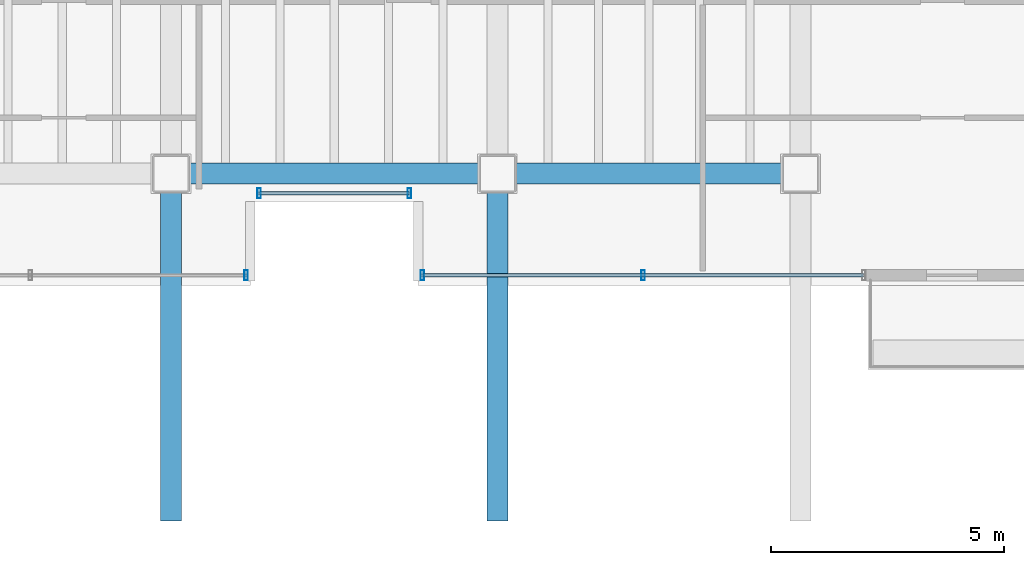
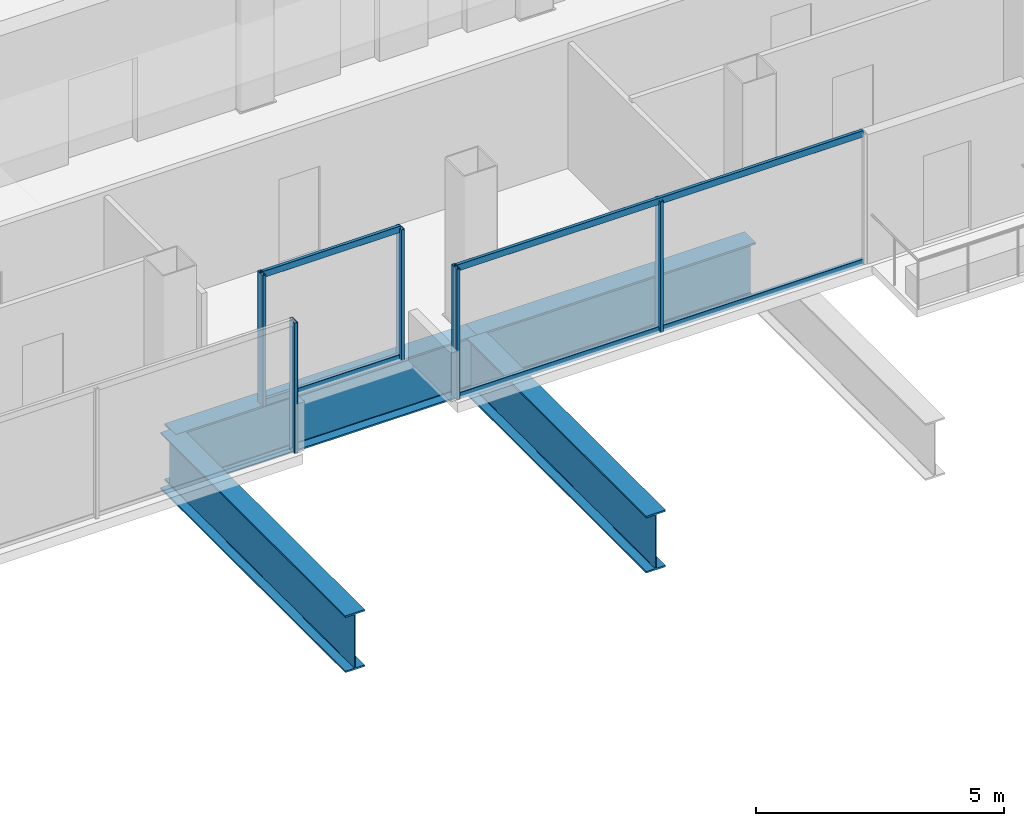
# One storey, part 6 of 19: 9 members, 4 beams, 3 elements without a shape of their own.
"""IFC4 building model written with IfcOpenShell, lengths in metres."""

from ifc_helpers import new_model, si_unit, direction, frame, origin, origin_2d, place, context, subcontext, project, spatial, hollow_rectangle, i_section, extrude, material, material_profile, profile_set, type_object, element, aggregate, save


model = new_model("IFC4")

# Units and contexts
model_context = context("Model", 3, precision=1e-05, world=origin(), true_north=direction((0.0, 1.0)))
body_context = subcontext(model_context, "Body", "Model", "MODEL_VIEW")
ifc_project = project(units=[si_unit("LENGTHUNIT", "METRE"), si_unit("AREAUNIT", "SQUARE_METRE"), si_unit("VOLUMEUNIT", "CUBIC_METRE"), si_unit("PLANEANGLEUNIT", "RADIAN"), si_unit("MASSUNIT", "GRAM", prefix="KILO")], contexts=[model_context])

# Site, building, storey
site_placement = place(None, origin())
site = spatial("IfcSite", under=ifc_project, at=site_placement, CompositionType="ELEMENT")
building_placement = place(site_placement, origin())
building = spatial("IfcBuilding", under=site, at=building_placement, Name="Noeulbin Bourse Tower", CompositionType="ELEMENT")
storey_placement = place(building_placement, frame((0.0, 0.0, 257.89990234375)))
storey = spatial("IfcBuildingStorey", under=building, at=storey_placement, Name="L64", CompositionType="ELEMENT", Elevation=257.89990234375)

# Beams
ifc_material_1 = material(Name="Steel S460", Category="steel")
ifc_material_profile_1 = material_profile(ifc_material_1, i_section(OverallWidth=0.449951171875, OverallDepth=1.39990234375, WebThickness=0.02392578125, FlangeThickness=0.0400390625, FilletRadius=0.02392578125, at=origin_2d()), Name="PG-1400x450x24x40", Category="LoadBearing")
ifc_profile_set_1 = profile_set([ifc_material_profile_1], Name="Steel S460")
beam_type = type_object("IfcBeamType", Name="BM-TRF-1400", PredefinedType="USERDEFINED", material=ifc_profile_set_1)
beam_1_placement = place(storey_placement, frame((24.0, 20.0, -0.93994140625), z_axis=(1.0, 0.0, 0.0), x_axis=(0.0, 1.0, 0.0)))
element("IfcBeam", 1, at=beam_1_placement, inside=storey, type_object=beam_type, Name="Tower Primary Girder EW L64-1.2", ObjectType="GIRDER", PredefinedType="USERDEFINED", context=body_context, shape_type="SweptSolid", body=[
    extrude(i_section(OverallWidth=0.449951171875, OverallDepth=1.39990234375, WebThickness=0.02392578125, FlangeThickness=0.0400390625, FilletRadius=0.02392578125, at=origin_2d()), origin(), (0.0, 0.0, 1.0), 7.0),
])
beam_2_placement = place(storey_placement, frame((31.0, 20.0, -0.93994140625), z_axis=(1.0, 0.0, 0.0), x_axis=(0.0, 1.0, 0.0)))
element("IfcBeam", 2, at=beam_2_placement, inside=storey, type_object=beam_type, Name="Tower Primary Girder EW L64-1.3", ObjectType="GIRDER", PredefinedType="USERDEFINED", context=body_context, shape_type="SweptSolid", body=[
    extrude(i_section(OverallWidth=0.449951171875, OverallDepth=1.39990234375, WebThickness=0.02392578125, FlangeThickness=0.0400390625, FilletRadius=0.02392578125, at=origin_2d()), origin(), (0.0, 0.0, 1.0), 6.5),
])
for number, where, z_axis, x_axis, name in (
    (3, (24.0, 12.550048828125, -0.93994140625), (0.0, 1.0, 0.0), (-1.0, 0.0, 0.0), "Tower Primary Girder NS L64-2.1"),
    (4, (31.0, 12.550048828125, -0.93994140625), (0.0, 1.0, 0.0), (-1.0, 0.0, 0.0), "Tower Primary Girder NS L64-3.1"),
):
    element("IfcBeam", number, at=place(storey_placement, frame(where, z_axis=z_axis, x_axis=x_axis)), inside=storey, type_object=beam_type, Name=name, ObjectType="GIRDER", PredefinedType="USERDEFINED", context=body_context, shape_type="SweptSolid", body=[
        extrude(i_section(OverallWidth=0.449951171875, OverallDepth=1.39990234375, WebThickness=0.02392578125, FlangeThickness=0.0400390625, FilletRadius=0.02392578125, at=origin_2d()), origin(), (0.0, 0.0, 1.0), 7.449951171875),
    ])

# Curtain wall, members
ifc_material_2 = material(Name="High-Selectivity Low-Iron Glazing", Category="glass")
curtain_wall_type = type_object("IfcCurtainWallType", Name="CW-SYS-4", PredefinedType="NOTDEFINED", material=ifc_material_2)
curtain_wall_1_placement = place(storey_placement, origin())
curtain_wall_1 = element("IfcCurtainWall", 5, at=curtain_wall_1_placement, inside=storey, type_object=curtain_wall_type, Name="Unitised Curtain Wall CW-L64-SREC", PredefinedType="NOTDEFINED")
ifc_material_3 = material(Name="Anodised Aluminium 6063-T6", Category="aluminium")
ifc_material_profile_2 = material_profile(ifc_material_3, hollow_rectangle(XDim=0.074951171875, YDim=0.219970703125, WallThickness=0.0048828125, InnerFilletRadius=0.00244140625, OuterFilletRadius=0.0048828125, at=origin_2d()), Name="ALU-MULL-75x220x5", Category="LoadBearing")
ifc_profile_set_2 = profile_set([ifc_material_profile_2], Name="Anodised Aluminium 6063-T6")
member_type_1 = type_object("IfcMemberType", Name="CW-SYS-4-MUL", PredefinedType="MULLION", material=ifc_profile_set_2)
member_1_placement = place(storey_placement, frame((25.889892578125, 19.580078125, -0.02001953125), z_axis=(0.0, 0.0, 1.0), x_axis=(1.0, 0.0, 0.0)))
member_1 = element("IfcMember", 6, at=member_1_placement, type_object=member_type_1, Name="Curtain Wall Mullion CW-L64-SREC-M00", PredefinedType="MULLION", context=body_context, shape_type="SweptSolid", body=[
    extrude(hollow_rectangle(XDim=0.074951171875, YDim=0.219970703125, WallThickness=0.0048828125, InnerFilletRadius=0.00244140625, OuterFilletRadius=0.0048828125, at=origin_2d()), origin(), (0.0, 0.0, 1.0), 3.22021484375),
])
member_2_placement = place(storey_placement, frame((29.110107421875, 19.580078125, -0.02001953125), z_axis=(0.0, 0.0, 1.0), x_axis=(1.0, 0.0, 0.0)))
member_2 = element("IfcMember", 7, at=member_2_placement, type_object=member_type_1, Name="Curtain Wall Mullion CW-L64-SREC-M01", PredefinedType="MULLION", context=body_context, shape_type="SweptSolid", body=[
    extrude(hollow_rectangle(XDim=0.074951171875, YDim=0.219970703125, WallThickness=0.0048828125, InnerFilletRadius=0.00244140625, OuterFilletRadius=0.0048828125, at=origin_2d()), origin(), (0.0, 0.0, 1.0), 3.22021484375),
])

# Curtain wall, member
curtain_wall_2_placement = place(storey_placement, origin())
curtain_wall_2 = element("IfcCurtainWall", 8, at=curtain_wall_2_placement, inside=storey, type_object=curtain_wall_type, Name="Unitised Curtain Wall CW-L64-S1", PredefinedType="NOTDEFINED")
member_3_placement = place(storey_placement, frame((25.610107421875, 17.820068359375, -0.02001953125), z_axis=(0.0, 0.0, 1.0), x_axis=(1.0, 0.0, 0.0)))
member_3 = element("IfcMember", 9, at=member_3_placement, type_object=member_type_1, Name="Curtain Wall Mullion CW-L64-S1-M04", PredefinedType="MULLION", context=body_context, shape_type="SweptSolid", body=[
    extrude(hollow_rectangle(XDim=0.074951171875, YDim=0.219970703125, WallThickness=0.0048828125, InnerFilletRadius=0.00244140625, OuterFilletRadius=0.0048828125, at=origin_2d()), origin(), (0.0, 0.0, 1.0), 3.22021484375),
])
aggregate(curtain_wall_2, [member_3])

# Curtain wall, members
curtain_wall_3_placement = place(storey_placement, origin())
curtain_wall_3 = element("IfcCurtainWall", 10, at=curtain_wall_3_placement, inside=storey, type_object=curtain_wall_type, Name="Unitised Curtain Wall CW-L64-S2", PredefinedType="NOTDEFINED")
member_4_placement = place(storey_placement, frame((29.389892578125, 17.820068359375, -0.02001953125), z_axis=(0.0, 0.0, 1.0), x_axis=(1.0, 0.0, 0.0)))
member_4 = element("IfcMember", 11, at=member_4_placement, type_object=member_type_1, Name="Curtain Wall Mullion CW-L64-S2-M00", PredefinedType="MULLION", context=body_context, shape_type="SweptSolid", body=[
    extrude(hollow_rectangle(XDim=0.074951171875, YDim=0.219970703125, WallThickness=0.0048828125, InnerFilletRadius=0.00244140625, OuterFilletRadius=0.0048828125, at=origin_2d()), origin(), (0.0, 0.0, 1.0), 3.22021484375),
])
member_5_placement = place(storey_placement, frame((34.125, 17.820068359375, -0.02001953125), z_axis=(0.0, 0.0, 1.0), x_axis=(1.0, 0.0, 0.0)))
member_5 = element("IfcMember", 12, at=member_5_placement, type_object=member_type_1, Name="Curtain Wall Mullion CW-L64-S2-M01", PredefinedType="MULLION", context=body_context, shape_type="SweptSolid", body=[
    extrude(hollow_rectangle(XDim=0.074951171875, YDim=0.219970703125, WallThickness=0.0048828125, InnerFilletRadius=0.00244140625, OuterFilletRadius=0.0048828125, at=origin_2d()), origin(), (0.0, 0.0, 1.0), 3.22021484375),
])

# Member
ifc_material_profile_3 = material_profile(ifc_material_3, hollow_rectangle(XDim=0.074951171875, YDim=0.159912109375, WallThickness=0.0048828125, InnerFilletRadius=0.00244140625, OuterFilletRadius=0.0048828125, at=origin_2d()), Name="ALU-TRAN-75x160x5", Category="LoadBearing")
ifc_profile_set_3 = profile_set([ifc_material_profile_3], Name="Anodised Aluminium 6063-T6")
member_type_2 = type_object("IfcMemberType", Name="CW-SYS-4-TRN", PredefinedType="USERDEFINED", material=ifc_profile_set_3)
member_6_placement = place(storey_placement, frame((25.89990234375, 19.580078125, 0.010009765625), z_axis=(1.0, 0.0, 0.0), x_axis=(0.0, 1.0, 0.0)))
member_6 = element("IfcMember", 13, at=member_6_placement, type_object=member_type_2, Name="Curtain Wall Transom CW-L64-SREC-T00", ObjectType="TRANSOM", PredefinedType="USERDEFINED", context=body_context, shape_type="SweptSolid", body=[
    extrude(hollow_rectangle(XDim=0.074951171875, YDim=0.159912109375, WallThickness=0.0048828125, InnerFilletRadius=0.00244140625, OuterFilletRadius=0.0048828125, at=origin_2d()), origin(), (0.0, 0.0, 1.0), 3.2001953125),
])

member_7_placement = place(storey_placement, frame((25.89990234375, 19.580078125, 3.170166015625), z_axis=(1.0, 0.0, 0.0), x_axis=(0.0, 1.0, 0.0)))
member_7 = element("IfcMember", 14, at=member_7_placement, type_object=member_type_2, Name="Curtain Wall Transom CW-L64-SREC-T01", ObjectType="TRANSOM", PredefinedType="USERDEFINED", context=body_context, shape_type="SweptSolid", body=[
    extrude(hollow_rectangle(XDim=0.074951171875, YDim=0.159912109375, WallThickness=0.0048828125, InnerFilletRadius=0.00244140625, OuterFilletRadius=0.0048828125, at=origin_2d()), origin(), (0.0, 0.0, 1.0), 3.2001953125),
])

aggregate(curtain_wall_1, [member_1, member_2, member_6, member_7])

member_8_placement = place(storey_placement, frame((29.39990234375, 17.820068359375, 0.010009765625), z_axis=(1.0, 0.0, 0.0), x_axis=(0.0, 1.0, 0.0)))
member_8 = element("IfcMember", 15, at=member_8_placement, type_object=member_type_2, Name="Curtain Wall Transom CW-L64-S2-T00", ObjectType="TRANSOM", PredefinedType="USERDEFINED", context=body_context, shape_type="SweptSolid", body=[
    extrude(hollow_rectangle(XDim=0.074951171875, YDim=0.159912109375, WallThickness=0.0048828125, InnerFilletRadius=0.00244140625, OuterFilletRadius=0.0048828125, at=origin_2d()), origin(), (0.0, 0.0, 1.0), 9.4501953125),
])

member_9_placement = place(storey_placement, frame((29.39990234375, 17.820068359375, 3.170166015625), z_axis=(1.0, 0.0, 0.0), x_axis=(0.0, 1.0, 0.0)))
member_9 = element("IfcMember", 16, at=member_9_placement, type_object=member_type_2, Name="Curtain Wall Transom CW-L64-S2-T01", ObjectType="TRANSOM", PredefinedType="USERDEFINED", context=body_context, shape_type="SweptSolid", body=[
    extrude(hollow_rectangle(XDim=0.074951171875, YDim=0.159912109375, WallThickness=0.0048828125, InnerFilletRadius=0.00244140625, OuterFilletRadius=0.0048828125, at=origin_2d()), origin(), (0.0, 0.0, 1.0), 9.4501953125),
])

aggregate(curtain_wall_3, [member_4, member_5, member_8, member_9])

save(model, "model.ifc")
